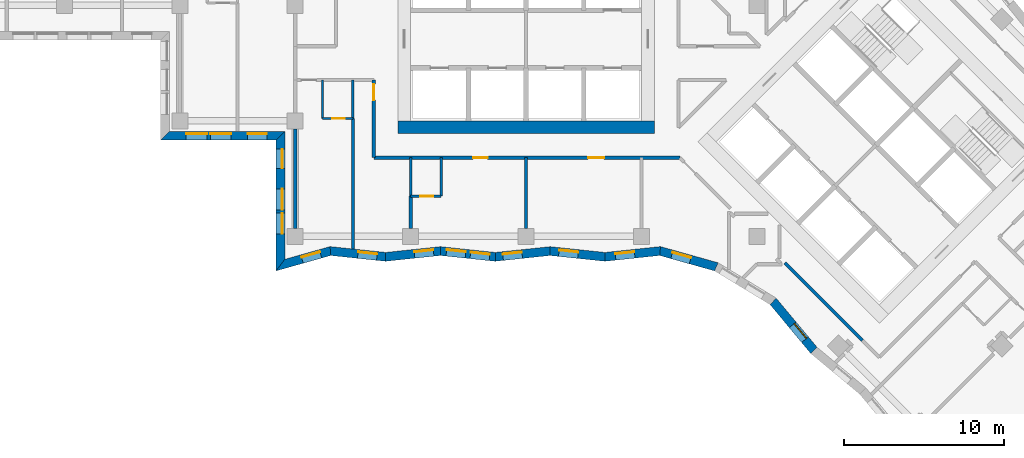
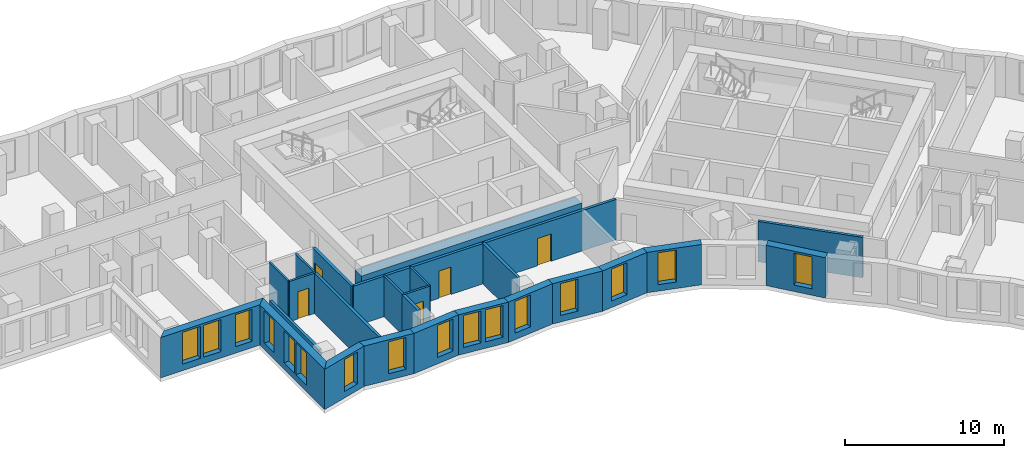
# One storey, part 2 of 12: 25 walls, 16 windows, 5 doors, 21 openings.
"""IFC4 building model written with IfcOpenShell, lengths in metres."""

from ifc_helpers import new_model, si_unit, direction, frame, frame_2d, origin, place, context, subcontext, project, spatial, polyline, rectangle, outline, extrude, material, layer, layer_set, type_object, element, fill, save


model = new_model("IFC4")

# Units and contexts
model_context = context("Model", 3, precision=1e-05, world=origin(), true_north=direction((0.0, 1.0)))
body_context = subcontext(model_context, "Body", "Model", "MODEL_VIEW")
ifc_project = project(units=[si_unit("LENGTHUNIT", "METRE"), si_unit("AREAUNIT", "SQUARE_METRE"), si_unit("VOLUMEUNIT", "CUBIC_METRE"), si_unit("PLANEANGLEUNIT", "RADIAN"), si_unit("MASSUNIT", "GRAM", prefix="KILO")], contexts=[model_context])

# Site, building, storey
site_placement = place(None, origin())
site = spatial("IfcSite", under=ifc_project, at=site_placement, CompositionType="ELEMENT")
building_placement = place(site_placement, origin())
building = spatial("IfcBuilding", under=site, at=building_placement, Name="Windrow Commons", CompositionType="ELEMENT")
storey_placement = place(building_placement, frame((0.0, 0.0, 88.0)))
storey = spatial("IfcBuildingStorey", under=building, at=storey_placement, Name="L23", CompositionType="ELEMENT", Elevation=88.0)

# Wall, openings, windows
ifc_material_1 = material(Name="Brick masonry, red clay brick", Category="masonry")
ifc_layer_1 = layer(ifc_material_1, 0.55)
ifc_layer_set_1 = layer_set([ifc_layer_1], Name="Brick facade wall 550")
wall_type_1 = type_object("IfcWallType", Name="Brick facade wall 550", PredefinedType="SOLIDWALL", material=ifc_layer_set_1)
wall_1_placement = place(storey_placement, frame((42.275, 49.475, 0.0), z_axis=(0.0, 0.0, 1.0), x_axis=(1.0, 0.0, 0.0)))
wall_1 = element("IfcWall", 1, at=wall_1_placement, inside=storey, type_object=wall_type_1, Name="Brick facade wall L23 42", PredefinedType="SOLIDWALL", context=body_context, shape_type="SweptSolid", body=[
    extrude(outline(polyline([(-0.275, -0.275), (6.925, -0.275), (7.475, 0.275), (0.275, 0.275), (-0.275, -0.275)])), origin(), (0.0, 0.0, 1.0), 3.1),
])
opening_1_placement = place(wall_1_placement, frame((1.325, 0.0, 0.5)))
opening_1 = element("IfcOpeningElement", 2, at=opening_1_placement, cuts=wall_1, Name="Opening W1P", PredefinedType="OPENING", context=body_context, shape_type="SweptSolid", body=[
    extrude(rectangle(XDim=1.3, YDim=2.45, at=frame_2d((0.65, 1.225))), frame((0.0, 0.285, 0.0), z_axis=(0.0, -1.0, 0.0), x_axis=(1.0, 0.0, 0.0)), (0.0, 0.0, 1.0), 0.57),
])
opening_2_placement = place(wall_1_placement, frame((2.825, 0.0, 0.5)))
opening_2 = element("IfcOpeningElement", 3, at=opening_2_placement, cuts=wall_1, Name="Opening W1P", PredefinedType="OPENING", context=body_context, shape_type="SweptSolid", body=[
    extrude(rectangle(XDim=1.3, YDim=2.45, at=frame_2d((0.65, 1.225))), frame((0.0, 0.285, 0.0), z_axis=(0.0, -1.0, 0.0), x_axis=(1.0, 0.0, 0.0)), (0.0, 0.0, 1.0), 0.57),
])
opening_3_placement = place(wall_1_placement, frame((5.1625, 0.0, 0.5)))
opening_3 = element("IfcOpeningElement", 4, at=opening_3_placement, cuts=wall_1, Name="Opening W7D", PredefinedType="OPENING", context=body_context, shape_type="SweptSolid", body=[
    extrude(rectangle(XDim=1.2, YDim=2.45, at=frame_2d((0.6, 1.225))), frame((0.0, 0.285, 0.0), z_axis=(0.0, -1.0, 0.0), x_axis=(1.0, 0.0, 0.0)), (0.0, 0.0, 1.0), 0.57),
])
ifc_material_2 = material(Name="Clear float glass in anodised aluminium frame", Category="aluminium")
window_type_1 = type_object("IfcWindowType", Name="Window W1P pair 1300x2450", PartitioningType="SINGLE_PANEL", PredefinedType="WINDOW", material=ifc_material_2)
window_1_placement = place(opening_1_placement, origin())
window_1 = element("IfcWindow", 5, at=window_1_placement, inside=storey, type_object=window_type_1, Name="Window L23 42.1A", OverallHeight=2.45, OverallWidth=1.3, PartitioningType="SINGLE_PANEL", PredefinedType="WINDOW", context=body_context, shape_type="SweptSolid", body=[
    extrude(rectangle(XDim=1.3, YDim=2.45, at=frame_2d((0.65, 1.225))), frame((0.0, 0.155, 0.0), z_axis=(0.0, -1.0, 0.0), x_axis=(1.0, 0.0, 0.0)), (0.0, 0.0, 1.0), 0.06),
])
fill(opening_1, window_1)
window_2_placement = place(opening_2_placement, origin())
window_2 = element("IfcWindow", 6, at=window_2_placement, inside=storey, type_object=window_type_1, Name="Window L23 42.1B", OverallHeight=2.45, OverallWidth=1.3, PartitioningType="SINGLE_PANEL", PredefinedType="WINDOW", context=body_context, shape_type="SweptSolid", body=[
    extrude(rectangle(XDim=1.3, YDim=2.45, at=frame_2d((0.65, 1.225))), frame((0.0, 0.155, 0.0), z_axis=(0.0, -1.0, 0.0), x_axis=(1.0, 0.0, 0.0)), (0.0, 0.0, 1.0), 0.06),
])
fill(opening_2, window_2)
ifc_material_3 = material(Name="Clear float glass in anodised aluminium frame", Category="aluminium")
window_type_2 = type_object("IfcWindowType", Name="Window W7 notch 1200x2450", PartitioningType="SINGLE_PANEL", PredefinedType="WINDOW", material=ifc_material_3)
window_3_placement = place(opening_3_placement, origin())
window_3 = element("IfcWindow", 7, at=window_3_placement, inside=storey, type_object=window_type_2, Name="Window L23 42.2", OverallHeight=2.45, OverallWidth=1.2, PartitioningType="SINGLE_PANEL", PredefinedType="WINDOW", context=body_context, shape_type="SweptSolid", body=[
    extrude(rectangle(XDim=1.2, YDim=2.45, at=frame_2d((0.6, 1.225))), frame((0.0, 0.155, 0.0), z_axis=(0.0, -1.0, 0.0), x_axis=(1.0, 0.0, 0.0)), (0.0, 0.0, 1.0), 0.06),
])
fill(opening_3, window_3)

wall_2_placement = place(storey_placement, frame((49.475, 49.475, 0.0), z_axis=(0.0, 0.0, 1.0), x_axis=(0.0, -1.0, 0.0)))
wall_2 = element("IfcWall", 8, at=wall_2_placement, inside=storey, type_object=wall_type_1, Name="Brick facade wall L23 43", PredefinedType="SOLIDWALL", context=body_context, shape_type="SweptSolid", body=[
    extrude(outline(polyline([(0.275, -0.275), (8.436, -0.275), (7.7101, 0.275), (-0.275, 0.275), (0.275, -0.275)])), origin(), (0.0, 0.0, 1.0), 3.1),
])
opening_4_placement = place(wall_2_placement, frame((3.325, 0.0, 0.5)))
opening_4 = element("IfcOpeningElement", 9, at=opening_4_placement, cuts=wall_2, Name="Opening W1P", PredefinedType="OPENING", context=body_context, shape_type="SweptSolid", body=[
    extrude(rectangle(XDim=1.3, YDim=2.45, at=frame_2d((0.65, 1.225))), frame((0.0, 0.285, 0.0), z_axis=(0.0, -1.0, 0.0), x_axis=(1.0, 0.0, 0.0)), (0.0, 0.0, 1.0), 0.57),
])
opening_5_placement = place(wall_2_placement, frame((4.825, 0.0, 0.5)))
opening_5 = element("IfcOpeningElement", 10, at=opening_5_placement, cuts=wall_2, Name="Opening W1P", PredefinedType="OPENING", context=body_context, shape_type="SweptSolid", body=[
    extrude(rectangle(XDim=1.3, YDim=2.45, at=frame_2d((0.65, 1.225))), frame((0.0, 0.285, 0.0), z_axis=(0.0, -1.0, 0.0), x_axis=(1.0, 0.0, 0.0)), (0.0, 0.0, 1.0), 0.57),
])
opening_6_placement = place(wall_2_placement, frame((0.8375, 0.0, 0.5)))
opening_6 = element("IfcOpeningElement", 11, at=opening_6_placement, cuts=wall_2, Name="Opening W7D", PredefinedType="OPENING", context=body_context, shape_type="SweptSolid", body=[
    extrude(rectangle(XDim=1.2, YDim=2.45, at=frame_2d((0.6, 1.225))), frame((0.0, 0.285, 0.0), z_axis=(0.0, -1.0, 0.0), x_axis=(1.0, 0.0, 0.0)), (0.0, 0.0, 1.0), 0.57),
])
window_4_placement = place(opening_4_placement, origin())
window_4 = element("IfcWindow", 12, at=window_4_placement, inside=storey, type_object=window_type_1, Name="Window L23 43.1A", OverallHeight=2.45, OverallWidth=1.3, PartitioningType="SINGLE_PANEL", PredefinedType="WINDOW", context=body_context, shape_type="SweptSolid", body=[
    extrude(rectangle(XDim=1.3, YDim=2.45, at=frame_2d((0.65, 1.225))), frame((0.0, 0.155, 0.0), z_axis=(0.0, -1.0, 0.0), x_axis=(1.0, 0.0, 0.0)), (0.0, 0.0, 1.0), 0.06),
])
fill(opening_4, window_4)
window_5_placement = place(opening_5_placement, origin())
window_5 = element("IfcWindow", 13, at=window_5_placement, inside=storey, type_object=window_type_1, Name="Window L23 43.1B", OverallHeight=2.45, OverallWidth=1.3, PartitioningType="SINGLE_PANEL", PredefinedType="WINDOW", context=body_context, shape_type="SweptSolid", body=[
    extrude(rectangle(XDim=1.3, YDim=2.45, at=frame_2d((0.65, 1.225))), frame((0.0, 0.155, 0.0), z_axis=(0.0, -1.0, 0.0), x_axis=(1.0, 0.0, 0.0)), (0.0, 0.0, 1.0), 0.06),
])
fill(opening_5, window_5)
window_6_placement = place(opening_6_placement, origin())
window_6 = element("IfcWindow", 14, at=window_6_placement, inside=storey, type_object=window_type_2, Name="Window L23 43.2", OverallHeight=2.45, OverallWidth=1.2, PartitioningType="SINGLE_PANEL", PredefinedType="WINDOW", context=body_context, shape_type="SweptSolid", body=[
    extrude(rectangle(XDim=1.2, YDim=2.45, at=frame_2d((0.6, 1.225))), frame((0.0, 0.155, 0.0), z_axis=(0.0, -1.0, 0.0), x_axis=(1.0, 0.0, 0.0)), (0.0, 0.0, 1.0), 0.06),
])
fill(opening_6, window_6)

# Wall, opening, window
wall_3_placement = place(storey_placement, frame((49.475, 41.4019, 0.0), z_axis=(0.0, 0.0, 1.0), x_axis=(0.9627079474, 0.2705428024, 0.0)))
wall_3 = element("IfcWall", 15, at=wall_3_placement, inside=storey, type_object=wall_type_1, Name="Brick facade wall L23 44", PredefinedType="SOLIDWALL", context=body_context, shape_type="SweptSolid", body=[
    extrude(outline(polyline([(-0.3629, -0.275), (3.1893, -0.275), (3.2948, 0.275), (0.3629, 0.275), (-0.3629, -0.275)])), origin(), (0.0, 0.0, 1.0), 3.1),
])
opening_7_placement = place(wall_3_placement, frame((1.4014, 0.0, 0.5)))
opening_7 = element("IfcOpeningElement", 16, at=opening_7_placement, cuts=wall_3, Name="Opening W7D", PredefinedType="OPENING", context=body_context, shape_type="SweptSolid", body=[
    extrude(rectangle(XDim=1.2, YDim=2.45, at=frame_2d((0.6, 1.225))), frame((0.0, 0.285, 0.0), z_axis=(0.0, -1.0, 0.0), x_axis=(1.0, 0.0, 0.0)), (0.0, 0.0, 1.0), 0.57),
])
window_7_placement = place(opening_7_placement, origin())
window_7 = element("IfcWindow", 17, at=window_7_placement, inside=storey, type_object=window_type_2, Name="Window L23 44.1", OverallHeight=2.45, OverallWidth=1.2, PartitioningType="SINGLE_PANEL", PredefinedType="WINDOW", context=body_context, shape_type="SweptSolid", body=[
    extrude(rectangle(XDim=1.2, YDim=2.45, at=frame_2d((0.6, 1.225))), frame((0.0, 0.155, 0.0), z_axis=(0.0, -1.0, 0.0), x_axis=(1.0, 0.0, 0.0)), (0.0, 0.0, 1.0), 0.06),
])
fill(opening_7, window_7)

wall_4_placement = place(storey_placement, frame((52.5961, 42.279, 0.0), z_axis=(0.0, 0.0, 1.0), x_axis=(0.9944742336, -0.1049809444, 0.0)))
wall_4 = element("IfcWall", 18, at=wall_4_placement, inside=storey, type_object=wall_type_1, Name="Brick facade wall L23 45", PredefinedType="SOLIDWALL", context=body_context, shape_type="SweptSolid", body=[
    extrude(outline(polyline([(0.0528, -0.275), (3.4915, -0.275), (3.4334, 0.275), (-0.0528, 0.275), (0.0528, -0.275)])), origin(), (0.0, 0.0, 1.0), 3.1),
])
opening_8_placement = place(wall_4_placement, frame((1.7226, 0.0, 0.5)))
opening_8 = element("IfcOpeningElement", 19, at=opening_8_placement, cuts=wall_4, Name="Opening W7D", PredefinedType="OPENING", context=body_context, shape_type="SweptSolid", body=[
    extrude(rectangle(XDim=1.2, YDim=2.45, at=frame_2d((0.6, 1.225))), frame((0.0, 0.285, 0.0), z_axis=(0.0, -1.0, 0.0), x_axis=(1.0, 0.0, 0.0)), (0.0, 0.0, 1.0), 0.57),
])
window_8_placement = place(opening_8_placement, origin())
window_8 = element("IfcWindow", 20, at=window_8_placement, inside=storey, type_object=window_type_2, Name="Window L23 45.1", OverallHeight=2.45, OverallWidth=1.2, PartitioningType="SINGLE_PANEL", PredefinedType="WINDOW", context=body_context, shape_type="SweptSolid", body=[
    extrude(rectangle(XDim=1.2, YDim=2.45, at=frame_2d((0.6, 1.225))), frame((0.0, 0.155, 0.0), z_axis=(0.0, -1.0, 0.0), x_axis=(1.0, 0.0, 0.0)), (0.0, 0.0, 1.0), 0.06),
])
fill(opening_8, window_8)

wall_5_placement = place(storey_placement, frame((56.0395, 41.9155, 0.0), z_axis=(0.0, 0.0, 1.0), x_axis=(0.9944741767, 0.1049814831, 0.0)))
wall_5 = element("IfcWall", 21, at=wall_5_placement, inside=storey, type_object=wall_type_1, Name="Brick facade wall L23 46", PredefinedType="SOLIDWALL", context=body_context, shape_type="SweptSolid", body=[
    extrude(outline(polyline([(-0.029, -0.275), (3.4097, -0.275), (3.4678, 0.275), (0.029, 0.275), (-0.029, -0.275)])), origin(), (0.0, 0.0, 1.0), 3.1),
])
opening_9_placement = place(wall_5_placement, frame((1.804, 0.0, 0.5)))
opening_9 = element("IfcOpeningElement", 22, at=opening_9_placement, cuts=wall_5, Name="Opening W7D", PredefinedType="OPENING", context=body_context, shape_type="SweptSolid", body=[
    extrude(rectangle(XDim=1.2, YDim=2.45, at=frame_2d((0.6, 1.225))), frame((0.0, 0.285, 0.0), z_axis=(0.0, -1.0, 0.0), x_axis=(1.0, 0.0, 0.0)), (0.0, 0.0, 1.0), 0.57),
])
window_9_placement = place(opening_9_placement, origin())
window_9 = element("IfcWindow", 23, at=window_9_placement, inside=storey, type_object=window_type_2, Name="Window L23 46.1", OverallHeight=2.45, OverallWidth=1.2, PartitioningType="SINGLE_PANEL", PredefinedType="WINDOW", context=body_context, shape_type="SweptSolid", body=[
    extrude(rectangle(XDim=1.2, YDim=2.45, at=frame_2d((0.6, 1.225))), frame((0.0, 0.155, 0.0), z_axis=(0.0, -1.0, 0.0), x_axis=(1.0, 0.0, 0.0)), (0.0, 0.0, 1.0), 0.06),
])
fill(opening_9, window_9)

# Wall, openings, windows
wall_6_placement = place(storey_placement, frame((59.4592, 42.2765, 0.0), z_axis=(0.0, 0.0, 1.0), x_axis=(0.9944741767, -0.1049814831, 0.0)))
wall_6 = element("IfcWall", 24, at=wall_6_placement, inside=storey, type_object=wall_type_1, Name="Brick facade wall L23 47", PredefinedType="SOLIDWALL", context=body_context, shape_type="SweptSolid", body=[
    extrude(outline(polyline([(0.029, -0.275), (3.4678, -0.275), (3.4097, 0.275), (-0.029, 0.275), (0.029, -0.275)])), origin(), (0.0, 0.0, 1.0), 3.1),
])
opening_10_placement = place(wall_6_placement, frame((0.3752, 0.0, 0.5)))
opening_10 = element("IfcOpeningElement", 25, at=opening_10_placement, cuts=wall_6, Name="Opening W7D", PredefinedType="OPENING", context=body_context, shape_type="SweptSolid", body=[
    extrude(rectangle(XDim=1.2, YDim=2.45, at=frame_2d((0.6, 1.225))), frame((0.0, 0.285, 0.0), z_axis=(0.0, -1.0, 0.0), x_axis=(1.0, 0.0, 0.0)), (0.0, 0.0, 1.0), 0.57),
])
opening_11_placement = place(wall_6_placement, frame((1.8801, 0.0, 0.5)))
opening_11 = element("IfcOpeningElement", 26, at=opening_11_placement, cuts=wall_6, Name="Opening W7D", PredefinedType="OPENING", context=body_context, shape_type="SweptSolid", body=[
    extrude(rectangle(XDim=1.2, YDim=2.45, at=frame_2d((0.6, 1.225))), frame((0.0, 0.285, 0.0), z_axis=(0.0, -1.0, 0.0), x_axis=(1.0, 0.0, 0.0)), (0.0, 0.0, 1.0), 0.57),
])
window_10_placement = place(opening_10_placement, origin())
window_10 = element("IfcWindow", 27, at=window_10_placement, inside=storey, type_object=window_type_2, Name="Window L23 47.1", OverallHeight=2.45, OverallWidth=1.2, PartitioningType="SINGLE_PANEL", PredefinedType="WINDOW", context=body_context, shape_type="SweptSolid", body=[
    extrude(rectangle(XDim=1.2, YDim=2.45, at=frame_2d((0.6, 1.225))), frame((0.0, 0.155, 0.0), z_axis=(0.0, -1.0, 0.0), x_axis=(1.0, 0.0, 0.0)), (0.0, 0.0, 1.0), 0.06),
])
fill(opening_10, window_10)
window_11_placement = place(opening_11_placement, origin())
window_11 = element("IfcWindow", 28, at=window_11_placement, inside=storey, type_object=window_type_2, Name="Window L23 47.2", OverallHeight=2.45, OverallWidth=1.2, PartitioningType="SINGLE_PANEL", PredefinedType="WINDOW", context=body_context, shape_type="SweptSolid", body=[
    extrude(rectangle(XDim=1.2, YDim=2.45, at=frame_2d((0.6, 1.225))), frame((0.0, 0.155, 0.0), z_axis=(0.0, -1.0, 0.0), x_axis=(1.0, 0.0, 0.0)), (0.0, 0.0, 1.0), 0.06),
])
fill(opening_11, window_11)

# Wall, opening, window
wall_7_placement = place(storey_placement, frame((62.8789, 41.9155, 0.0), z_axis=(0.0, 0.0, 1.0), x_axis=(0.9944744972, 0.1049784471, 0.0)))
wall_7 = element("IfcWall", 29, at=wall_7_placement, inside=storey, type_object=wall_type_1, Name="Brick facade wall L23 48", PredefinedType="SOLIDWALL", context=body_context, shape_type="SweptSolid", body=[
    extrude(outline(polyline([(-0.029, -0.275), (3.4097, -0.275), (3.4678, 0.275), (0.029, 0.275), (-0.029, -0.275)])), origin(), (0.0, 0.0, 1.0), 3.1),
])
opening_12_placement = place(wall_7_placement, frame((0.4804, 0.0, 0.5)))
opening_12 = element("IfcOpeningElement", 30, at=opening_12_placement, cuts=wall_7, Name="Opening W7D", PredefinedType="OPENING", context=body_context, shape_type="SweptSolid", body=[
    extrude(rectangle(XDim=1.2, YDim=2.45, at=frame_2d((0.6, 1.225))), frame((0.0, 0.285, 0.0), z_axis=(0.0, -1.0, 0.0), x_axis=(1.0, 0.0, 0.0)), (0.0, 0.0, 1.0), 0.57),
])
window_12_placement = place(opening_12_placement, origin())
window_12 = element("IfcWindow", 31, at=window_12_placement, inside=storey, type_object=window_type_2, Name="Window L23 48.1", OverallHeight=2.45, OverallWidth=1.2, PartitioningType="SINGLE_PANEL", PredefinedType="WINDOW", context=body_context, shape_type="SweptSolid", body=[
    extrude(rectangle(XDim=1.2, YDim=2.45, at=frame_2d((0.6, 1.225))), frame((0.0, 0.155, 0.0), z_axis=(0.0, -1.0, 0.0), x_axis=(1.0, 0.0, 0.0)), (0.0, 0.0, 1.0), 0.06),
])
fill(opening_12, window_12)

wall_8_placement = place(storey_placement, frame((66.2987, 42.2765, 0.0), z_axis=(0.0, 0.0, 1.0), x_axis=(0.9944741767, -0.1049814831, 0.0)))
wall_8 = element("IfcWall", 32, at=wall_8_placement, inside=storey, type_object=wall_type_1, Name="Brick facade wall L23 49", PredefinedType="SOLIDWALL", context=body_context, shape_type="SweptSolid", body=[
    extrude(outline(polyline([(0.029, -0.275), (3.4678, -0.275), (3.4097, 0.275), (-0.029, 0.275), (0.029, -0.275)])), origin(), (0.0, 0.0, 1.0), 3.1),
])
opening_13_placement = place(wall_8_placement, frame((0.5565, 0.0, 0.5)))
opening_13 = element("IfcOpeningElement", 33, at=opening_13_placement, cuts=wall_8, Name="Opening W7D", PredefinedType="OPENING", context=body_context, shape_type="SweptSolid", body=[
    extrude(rectangle(XDim=1.2, YDim=2.45, at=frame_2d((0.6, 1.225))), frame((0.0, 0.285, 0.0), z_axis=(0.0, -1.0, 0.0), x_axis=(1.0, 0.0, 0.0)), (0.0, 0.0, 1.0), 0.57),
])
window_13_placement = place(opening_13_placement, origin())
window_13 = element("IfcWindow", 34, at=window_13_placement, inside=storey, type_object=window_type_2, Name="Window L23 49.1", OverallHeight=2.45, OverallWidth=1.2, PartitioningType="SINGLE_PANEL", PredefinedType="WINDOW", context=body_context, shape_type="SweptSolid", body=[
    extrude(rectangle(XDim=1.2, YDim=2.45, at=frame_2d((0.6, 1.225))), frame((0.0, 0.155, 0.0), z_axis=(0.0, -1.0, 0.0), x_axis=(1.0, 0.0, 0.0)), (0.0, 0.0, 1.0), 0.06),
])
fill(opening_13, window_13)

wall_9_placement = place(storey_placement, frame((69.7184, 41.9155, 0.0), z_axis=(0.0, 0.0, 1.0), x_axis=(0.9944739153, 0.1049839596, 0.0)))
wall_9 = element("IfcWall", 35, at=wall_9_placement, inside=storey, type_object=wall_type_1, Name="Brick facade wall L23 50", PredefinedType="SOLIDWALL", context=body_context, shape_type="SweptSolid", body=[
    extrude(outline(polyline([(-0.029, -0.275), (3.4097, -0.275), (3.5152, 0.275), (0.029, 0.275), (-0.029, -0.275)])), origin(), (0.0, 0.0, 1.0), 3.1),
])
opening_14_placement = place(wall_9_placement, frame((0.6617, 0.0, 0.5)))
opening_14 = element("IfcOpeningElement", 36, at=opening_14_placement, cuts=wall_9, Name="Opening W7D", PredefinedType="OPENING", context=body_context, shape_type="SweptSolid", body=[
    extrude(rectangle(XDim=1.2, YDim=2.45, at=frame_2d((0.6, 1.225))), frame((0.0, 0.285, 0.0), z_axis=(0.0, -1.0, 0.0), x_axis=(1.0, 0.0, 0.0)), (0.0, 0.0, 1.0), 0.57),
])
window_14_placement = place(opening_14_placement, origin())
window_14 = element("IfcWindow", 37, at=window_14_placement, inside=storey, type_object=window_type_2, Name="Window L23 50.1", OverallHeight=2.45, OverallWidth=1.2, PartitioningType="SINGLE_PANEL", PredefinedType="WINDOW", context=body_context, shape_type="SweptSolid", body=[
    extrude(rectangle(XDim=1.2, YDim=2.45, at=frame_2d((0.6, 1.225))), frame((0.0, 0.155, 0.0), z_axis=(0.0, -1.0, 0.0), x_axis=(1.0, 0.0, 0.0)), (0.0, 0.0, 1.0), 0.06),
])
fill(opening_14, window_14)

wall_10_placement = place(storey_placement, frame((73.1617, 42.279, 0.0), z_axis=(0.0, 0.0, 1.0), x_axis=(0.9627092747, -0.2705380793, 0.0)))
wall_10 = element("IfcWall", 38, at=wall_10_placement, inside=storey, type_object=wall_type_1, Name="Brick facade wall L23 51", PredefinedType="SOLIDWALL", context=body_context, shape_type="SweptSolid", body=[
    extrude(outline(polyline([(0.0528, -0.275), (3.605, -0.275), (3.6804, 0.275), (-0.0528, 0.275), (0.0528, -0.275)])), origin(), (0.0, 0.0, 1.0), 3.1),
])
opening_15_placement = place(wall_10_placement, frame((0.7664, 0.0, 0.5)))
opening_15 = element("IfcOpeningElement", 39, at=opening_15_placement, cuts=wall_10, Name="Opening W7D", PredefinedType="OPENING", context=body_context, shape_type="SweptSolid", body=[
    extrude(rectangle(XDim=1.2, YDim=2.45, at=frame_2d((0.6, 1.225))), frame((0.0, 0.285, 0.0), z_axis=(0.0, -1.0, 0.0), x_axis=(1.0, 0.0, 0.0)), (0.0, 0.0, 1.0), 0.57),
])
window_15_placement = place(opening_15_placement, origin())
window_15 = element("IfcWindow", 40, at=window_15_placement, inside=storey, type_object=window_type_2, Name="Window L23 51.1", OverallHeight=2.45, OverallWidth=1.2, PartitioningType="SINGLE_PANEL", PredefinedType="WINDOW", context=body_context, shape_type="SweptSolid", body=[
    extrude(rectangle(XDim=1.2, YDim=2.45, at=frame_2d((0.6, 1.225))), frame((0.0, 0.155, 0.0), z_axis=(0.0, -1.0, 0.0), x_axis=(1.0, 0.0, 0.0)), (0.0, 0.0, 1.0), 0.06),
])
fill(opening_15, window_15)

wall_11_placement = place(storey_placement, frame((80.2103, 39.1388, 0.0), z_axis=(0.0, 0.0, 1.0), x_axis=(0.639762137, -0.7685729686, 0.0)))
wall_11 = element("IfcWall", 41, at=wall_11_placement, inside=storey, type_object=wall_type_1, Name="Brick facade wall L23 53", PredefinedType="SOLIDWALL", context=body_context, shape_type="SweptSolid", body=[
    extrude(outline(polyline([(0.0458, -0.275), (4.0092, -0.275), (3.9589, 0.275), (-0.0458, 0.275), (0.0458, -0.275)])), origin(), (0.0, 0.0, 1.0), 3.1),
])
opening_16_placement = place(wall_11_placement, frame((1.9066, 0.0, 0.5)))
opening_16 = element("IfcOpeningElement", 42, at=opening_16_placement, cuts=wall_11, Name="Opening W7D", PredefinedType="OPENING", context=body_context, shape_type="SweptSolid", body=[
    extrude(rectangle(XDim=1.2, YDim=2.45, at=frame_2d((0.6, 1.225))), frame((0.0, 0.285, 0.0), z_axis=(0.0, -1.0, 0.0), x_axis=(1.0, 0.0, 0.0)), (0.0, 0.0, 1.0), 0.57),
])
window_16_placement = place(opening_16_placement, origin())
window_16 = element("IfcWindow", 43, at=window_16_placement, inside=storey, type_object=window_type_2, Name="Window L23 53.1", OverallHeight=2.45, OverallWidth=1.2, PartitioningType="SINGLE_PANEL", PredefinedType="WINDOW", context=body_context, shape_type="SweptSolid", body=[
    extrude(rectangle(XDim=1.2, YDim=2.45, at=frame_2d((0.6, 1.225))), frame((0.0, 0.155, 0.0), z_axis=(0.0, -1.0, 0.0), x_axis=(1.0, 0.0, 0.0)), (0.0, 0.0, 1.0), 0.06),
])
fill(opening_16, window_16)

# Wall, openings, doors
ifc_material_4 = material(Name="Blockwork partition", Category="masonry")
ifc_layer_2 = layer(ifc_material_4, 0.2)
ifc_layer_set_2 = layer_set([ifc_layer_2], Name="IW-CORRIDOR-200")
wall_type_2 = type_object("IfcWallType", Name="IW-CORRIDOR-200", PredefinedType="PARTITIONING", material=ifc_layer_set_2)
wall_12_placement = place(storey_placement, frame((55.3, 48.1, 0.0), z_axis=(0.0, 0.0, 1.0), x_axis=(1.0, 0.0, 0.0)))
wall_12 = element("IfcWall", 44, at=wall_12_placement, inside=storey, type_object=wall_type_2, Name="W-L23-W002", PredefinedType="PARTITIONING", context=body_context, shape_type="SweptSolid", body=[
    extrude(rectangle(XDim=19.092, YDim=0.2, at=frame_2d((9.546, 0.0))), origin(), (0.0, 0.0, 1.0), 3.1),
])
opening_17_placement = place(wall_12_placement, frame((6.1994, 0.0, 0.0)))
opening_17 = element("IfcOpeningElement", 45, at=opening_17_placement, cuts=wall_12, Name="Opening D109F", PredefinedType="OPENING", context=body_context, shape_type="SweptSolid", body=[
    extrude(rectangle(XDim=0.9, YDim=2.1, at=frame_2d((0.45, 1.05))), frame((0.0, 0.11, 0.0), z_axis=(0.0, -1.0, 0.0), x_axis=(1.0, 0.0, 0.0)), (0.0, 0.0, 1.0), 0.22),
])
opening_18_placement = place(wall_12_placement, frame((13.3625, 0.0, 0.0)))
opening_18 = element("IfcOpeningElement", 46, at=opening_18_placement, cuts=wall_12, Name="Opening D310F", PredefinedType="OPENING", context=body_context, shape_type="SweptSolid", body=[
    extrude(rectangle(XDim=1.0, YDim=2.1, at=frame_2d((0.5, 1.05))), frame((0.0, 0.11, 0.0), z_axis=(0.0, -1.0, 0.0), x_axis=(1.0, 0.0, 0.0)), (0.0, 0.0, 1.0), 0.22),
])
ifc_material_5 = material(Name="Timber door leaf", Category="wood")
door_type_1 = type_object("IfcDoorType", Name="DT-AMENITY-1000", OperationType="SINGLE_SWING_LEFT", PredefinedType="DOOR", material=ifc_material_5)
door_1_placement = place(opening_18_placement, origin())
door_1 = element("IfcDoor", 47, at=door_1_placement, inside=storey, type_object=door_type_1, Name="D-L23-D036", OperationType="SINGLE_SWING_LEFT", OverallHeight=2.1, OverallWidth=1.0, PredefinedType="DOOR", context=body_context, shape_type="SweptSolid", body=[
    extrude(rectangle(XDim=1.0, YDim=2.1, at=frame_2d((0.5, 1.05))), frame((0.0, 0.025, 0.0), z_axis=(0.0, -1.0, 0.0), x_axis=(1.0, 0.0, 0.0)), (0.0, 0.0, 1.0), 0.05),
])
fill(opening_18, door_1)
ifc_material_6 = material(Name="Timber door leaf", Category="wood")
door_type_2 = type_object("IfcDoorType", Name="DT-BEDROOM-900", OperationType="SINGLE_SWING_LEFT", PredefinedType="DOOR", material=ifc_material_6)
door_2_placement = place(opening_17_placement, origin())
door_2 = element("IfcDoor", 48, at=door_2_placement, inside=storey, type_object=door_type_2, Name="D-L23-D034", OperationType="SINGLE_SWING_LEFT", OverallHeight=2.1, OverallWidth=0.9, PredefinedType="DOOR", context=body_context, shape_type="SweptSolid", body=[
    extrude(rectangle(XDim=0.9, YDim=2.1, at=frame_2d((0.45, 1.05))), frame((0.0, 0.025, 0.0), z_axis=(0.0, -1.0, 0.0), x_axis=(1.0, 0.0, 0.0)), (0.0, 0.0, 1.0), 0.05),
])
fill(opening_17, door_2)

# Wall
wall_13_placement = place(storey_placement, frame((80.9485, 41.5365, 0.0), z_axis=(0.0, 0.0, 1.0), x_axis=(0.7071067812, -0.7071067812, 0.0)))
element("IfcWall", 49, at=wall_13_placement, inside=storey, type_object=wall_type_2, Name="W-L23-W022", PredefinedType="PARTITIONING", context=body_context, shape_type="SweptSolid", body=[
    extrude(rectangle(XDim=6.8222, YDim=0.2, at=frame_2d((3.4111, 0.0))), origin(), (0.0, 0.0, 1.0), 3.1),
])

# Wall, opening, door
wall_14_placement = place(storey_placement, frame((55.3, 48.1, 0.0), z_axis=(0.0, 0.0, 1.0), x_axis=(0.0, 1.0, 0.0)))
wall_14 = element("IfcWall", 50, at=wall_14_placement, inside=storey, type_object=wall_type_2, Name="W-L23-W040", PredefinedType="PARTITIONING", context=body_context, shape_type="SweptSolid", body=[
    extrude(rectangle(XDim=4.85, YDim=0.2, at=frame_2d((2.425, 0.0))), origin(), (0.0, 0.0, 1.0), 3.1),
])
opening_19_placement = place(wall_14_placement, frame((3.599, 0.0, 0.0)))
opening_19 = element("IfcOpeningElement", 51, at=opening_19_placement, cuts=wall_14, Name="Opening D310F", PredefinedType="OPENING", context=body_context, shape_type="SweptSolid", body=[
    extrude(rectangle(XDim=1.0, YDim=2.1, at=frame_2d((0.5, 1.05))), frame((0.0, 0.11, 0.0), z_axis=(0.0, -1.0, 0.0), x_axis=(1.0, 0.0, 0.0)), (0.0, 0.0, 1.0), 0.22),
])
door_3_placement = place(opening_19_placement, origin())
door_3 = element("IfcDoor", 52, at=door_3_placement, inside=storey, type_object=door_type_1, Name="D-L23-D033", OperationType="SINGLE_SWING_RIGHT", OverallHeight=2.1, OverallWidth=1.0, PredefinedType="DOOR", context=body_context, shape_type="SweptSolid", body=[
    extrude(rectangle(XDim=1.0, YDim=2.1, at=frame_2d((0.5, 1.05))), frame((0.0, 0.025, 0.0), z_axis=(0.0, -1.0, 0.0), x_axis=(1.0, 0.0, 0.0)), (0.0, 0.0, 1.0), 0.05),
])
fill(opening_19, door_3)

# Walls
ifc_material_7 = material(Name="Blockwork partition", Category="masonry")
ifc_layer_3 = layer(ifc_material_7, 0.15)
ifc_layer_set_3 = layer_set([ifc_layer_3], Name="IW-ENSUITE-150")
wall_type_3 = type_object("IfcWallType", Name="IW-ENSUITE-150", PredefinedType="PARTITIONING", material=ifc_layer_set_3)
for number, where, z_axis, x_axis, name in (
    (53, (52.1, 50.55, 0.0), (0.0, 0.0, 1.0), (0.0, 1.0, 0.0), "W-L23-W079"),
    (54, (54.0, 50.55, 0.0), (0.0, 0.0, 1.0), (0.0, 1.0, 0.0), "W-L23-W081"),
    (55, (59.5, 45.7, 0.0), (0.0, 0.0, 1.0), (0.0, 1.0, 0.0), "W-L23-W089"),
    (56, (57.6, 45.7, 0.0), (0.0, 0.0, 1.0), (0.0, 1.0, 0.0), "W-L23-W090"),
):
    element("IfcWall", number, at=place(storey_placement, frame(where, z_axis=z_axis, x_axis=x_axis)), inside=storey, type_object=wall_type_3, Name=name, PredefinedType="PARTITIONING", context=body_context, shape_type="SweptSolid", body=[
        extrude(rectangle(XDim=2.4, YDim=0.15, at=frame_2d((1.2, 0.0))), origin(), (0.0, 0.0, 1.0), 3.1),
    ])

# Wall, opening, door
wall_15_placement = place(storey_placement, frame((52.1, 50.55, 0.0), z_axis=(0.0, 0.0, 1.0), x_axis=(1.0, 0.0, 0.0)))
wall_15 = element("IfcWall", 57, at=wall_15_placement, inside=storey, type_object=wall_type_3, Name="W-L23-W129", PredefinedType="PARTITIONING", context=body_context, shape_type="SweptSolid", body=[
    extrude(rectangle(XDim=1.9, YDim=0.15, at=frame_2d((0.95, 0.0))), origin(), (0.0, 0.0, 1.0), 3.1),
])
opening_20_placement = place(wall_15_placement, frame((0.5979, 0.0, 0.0)))
opening_20 = element("IfcOpeningElement", 58, at=opening_20_placement, cuts=wall_15, Name="Opening D208N", PredefinedType="OPENING", context=body_context, shape_type="SweptSolid", body=[
    extrude(rectangle(XDim=0.8, YDim=2.1, at=frame_2d((0.4, 1.05))), frame((0.0, 0.085, 0.0), z_axis=(0.0, -1.0, 0.0), x_axis=(1.0, 0.0, 0.0)), (0.0, 0.0, 1.0), 0.17),
])
ifc_material_8 = material(Name="Timber door leaf", Category="wood")
door_type_3 = type_object("IfcDoorType", Name="DT-ENSUITE-800", OperationType="SINGLE_SWING_LEFT", PredefinedType="DOOR", material=ifc_material_8)
door_4_placement = place(opening_20_placement, origin())
door_4 = element("IfcDoor", 59, at=door_4_placement, inside=storey, type_object=door_type_3, Name="D-L23-D032", OperationType="SINGLE_SWING_RIGHT", OverallHeight=2.1, OverallWidth=0.8, PredefinedType="DOOR", context=body_context, shape_type="SweptSolid", body=[
    extrude(rectangle(XDim=0.8, YDim=2.1, at=frame_2d((0.4, 1.05))), frame((0.0, 0.025, 0.0), z_axis=(0.0, -1.0, 0.0), x_axis=(1.0, 0.0, 0.0)), (0.0, 0.0, 1.0), 0.05),
])
fill(opening_20, door_4)

wall_16_placement = place(storey_placement, frame((57.6, 45.7, 0.0), z_axis=(0.0, 0.0, 1.0), x_axis=(1.0, 0.0, 0.0)))
wall_16 = element("IfcWall", 60, at=wall_16_placement, inside=storey, type_object=wall_type_3, Name="W-L23-W130", PredefinedType="PARTITIONING", context=body_context, shape_type="SweptSolid", body=[
    extrude(rectangle(XDim=1.9, YDim=0.15, at=frame_2d((0.95, 0.0))), origin(), (0.0, 0.0, 1.0), 3.1),
])
opening_21_placement = place(wall_16_placement, frame((0.6069, 0.0, 0.0)))
opening_21 = element("IfcOpeningElement", 61, at=opening_21_placement, cuts=wall_16, Name="Opening D208N", PredefinedType="OPENING", context=body_context, shape_type="SweptSolid", body=[
    extrude(rectangle(XDim=0.8, YDim=2.1, at=frame_2d((0.4, 1.05))), frame((0.0, 0.085, 0.0), z_axis=(0.0, -1.0, 0.0), x_axis=(1.0, 0.0, 0.0)), (0.0, 0.0, 1.0), 0.17),
])
door_5_placement = place(opening_21_placement, origin())
door_5 = element("IfcDoor", 62, at=door_5_placement, inside=storey, type_object=door_type_3, Name="D-L23-D035", OperationType="SINGLE_SWING_RIGHT", OverallHeight=2.1, OverallWidth=0.8, PredefinedType="DOOR", context=body_context, shape_type="SweptSolid", body=[
    extrude(rectangle(XDim=0.8, YDim=2.1, at=frame_2d((0.4, 1.05))), frame((0.0, 0.025, 0.0), z_axis=(0.0, -1.0, 0.0), x_axis=(1.0, 0.0, 0.0)), (0.0, 0.0, 1.0), 0.05),
])
fill(opening_21, door_5)

# Walls
ifc_material_9 = material(Name="Blockwork partition", Category="masonry")
ifc_layer_4 = layer(ifc_material_9, 0.2)
ifc_layer_set_4 = layer_set([ifc_layer_4], Name="IW-PARTY-200")
wall_type_4 = type_object("IfcWallType", Name="IW-PARTY-200", PredefinedType="PARTITIONING", material=ifc_layer_set_4)
wall_17_placement = place(storey_placement, frame((54.0, 42.4073, 0.0), z_axis=(0.0, 0.0, 1.0), x_axis=(0.0, 1.0, 0.0)))
element("IfcWall", 63, at=wall_17_placement, inside=storey, type_object=wall_type_4, Name="W-L23-W013", PredefinedType="PARTITIONING", context=body_context, shape_type="SweptSolid", body=[
    extrude(rectangle(XDim=8.1427, YDim=0.2, at=frame_2d((4.0713, 0.0))), origin(), (0.0, 0.0, 1.0), 3.1),
])
wall_18_placement = place(storey_placement, frame((50.4, 43.7, 0.0), z_axis=(0.0, 0.0, 1.0), x_axis=(0.0, 1.0, 0.0)))
element("IfcWall", 64, at=wall_18_placement, inside=storey, type_object=wall_type_4, Name="W-L23-W028", PredefinedType="PARTITIONING", context=body_context, shape_type="SweptSolid", body=[
    extrude(rectangle(XDim=6.2, YDim=0.2, at=frame_2d((3.1, 0.0))), origin(), (0.0, 0.0, 1.0), 2.6),
])
wall_19_placement = place(storey_placement, frame((64.8, 43.7, 0.0), z_axis=(0.0, 0.0, 1.0), x_axis=(0.0, 1.0, 0.0)))
element("IfcWall", 65, at=wall_19_placement, inside=storey, type_object=wall_type_4, Name="W-L23-W047", PredefinedType="PARTITIONING", context=body_context, shape_type="SweptSolid", body=[
    extrude(rectangle(XDim=4.4, YDim=0.2, at=frame_2d((2.2, 0.0))), origin(), (0.0, 0.0, 1.0), 3.1),
])
wall_20_placement = place(storey_placement, frame((57.6, 43.7, 0.0), z_axis=(0.0, 0.0, 1.0), x_axis=(0.0, 1.0, 0.0)))
element("IfcWall", 66, at=wall_20_placement, inside=storey, type_object=wall_type_4, Name="W-L23-W119", PredefinedType="PARTITIONING", context=body_context, shape_type="SweptSolid", body=[
    extrude(rectangle(XDim=2.0, YDim=0.2, at=frame_2d((1.0, 0.0))), origin(), (0.0, 0.0, 1.0), 3.1),
])
ifc_material_10 = material(Name="Concrete C50/60", Category="concrete")
ifc_layer_5 = layer(ifc_material_10, 0.8)
ifc_layer_set_5 = layer_set([ifc_layer_5], Name="RC CORE WALL 800 C50/60")
wall_type_5 = type_object("IfcWallType", Name="RC CORE WALL 800 C50/60", PredefinedType="SHEAR", material=ifc_layer_set_5)
wall_21_placement = place(storey_placement, frame((56.8, 50.0, -0.3), z_axis=(0.0, 0.0, 1.0), x_axis=(1.0, 0.0, 0.0)))
element("IfcWall", 67, at=wall_21_placement, inside=storey, type_object=wall_type_5, Name="Core A wall outer-S", PredefinedType="SHEAR", context=body_context, shape_type="SweptSolid", body=[
    extrude(rectangle(XDim=16.0, YDim=0.8, at=frame_2d((8.0, 0.0))), origin(), (0.0, 0.0, 1.0), 2.7),
])

save(model, "model.ifc")
